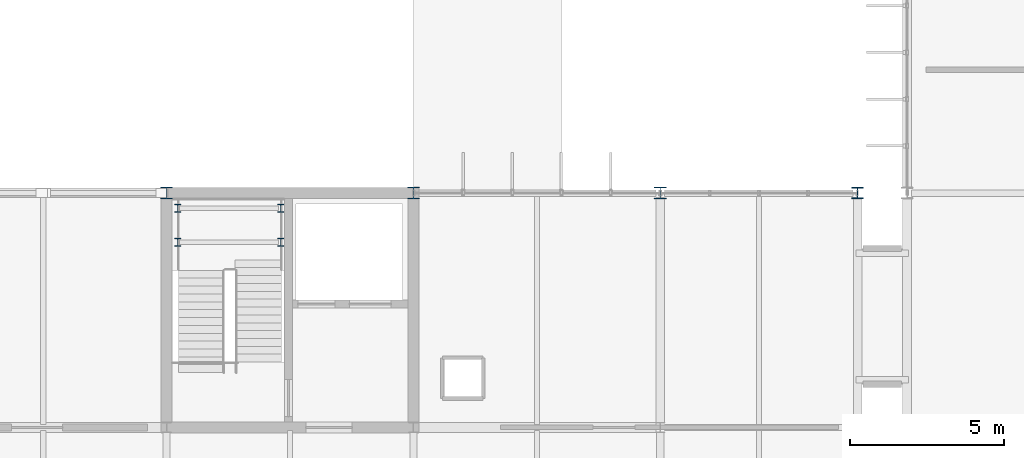
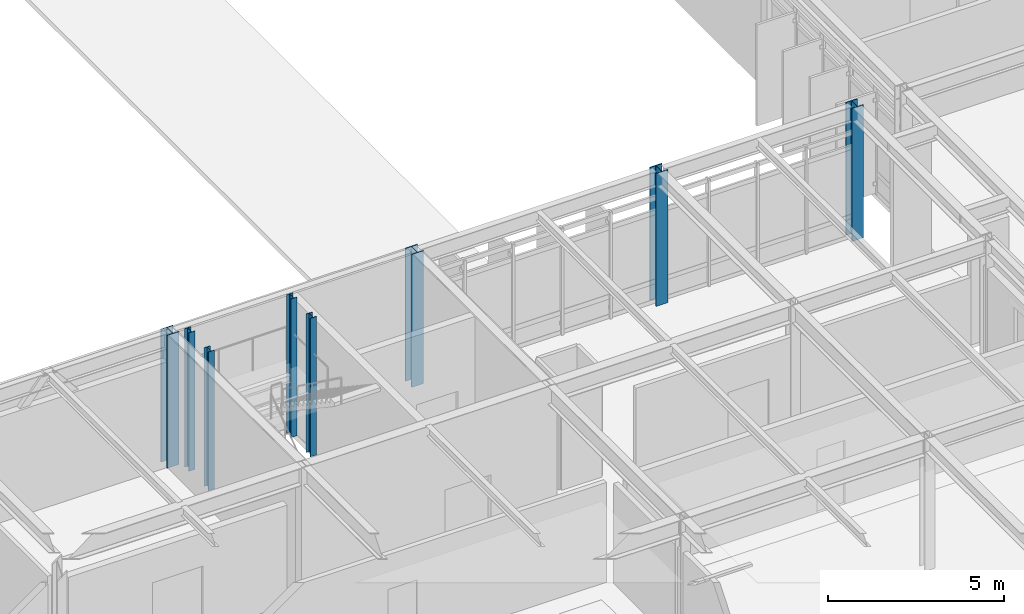
# One storey, part 4 of 100: 8 columns.
"""IFC4 building model written with IfcOpenShell, lengths in metres."""

import ifcopenshell
import ifcopenshell.guid

model = None  # the IFC model being written
_history = None  # IfcOwnerHistory: only IFC2X3 demands one
_inside = {}  # id of a spatial element -> (the spatial element, [elements in it])
_under = {}  # id of a project, library or spatial element -> (it, [spatial elements below it])
_declared = {}  # id of a project -> (the project, [libraries it declares])
_typed = {}  # id of a type object -> (the type object, [elements of that type])
_made_of = {}  # id of a material, layer set ... -> (it, [elements and type objects made of it])


def new_model(schema):
    """Start an empty IFC model of exactly this schema.

    Asked for "IFC4X3", IfcOpenShell would pick the latest addendum, in which some entities
    have other attributes; the version numbers below select the first issue.
    IFC2X3 requires an IfcOwnerHistory on every rooted entity: one is made here for all.
    """
    global model, _history
    if schema == "IFC4X3":
        model = ifcopenshell.file(schema_version=(4, 3, 0, 0))
    else:
        model = ifcopenshell.file(schema=schema)
    _inside.clear()
    _under.clear()
    _declared.clear()
    _typed.clear()
    _made_of.clear()
    _history = None
    if model.schema == "IFC2X3":
        org = make("IfcOrganization", Name="unknown")
        user = make(
            "IfcPersonAndOrganization",
            ThePerson=make("IfcPerson", FamilyName="unknown"),
            TheOrganization=org,
        )
        app = make(
            "IfcApplication",
            ApplicationDeveloper=org,
            Version="unknown",
            ApplicationFullName="unknown",
            ApplicationIdentifier="unknown",
        )
        _history = make(
            "IfcOwnerHistory",
            OwningUser=user,
            OwningApplication=app,
            ChangeAction="ADDED",
            CreationDate=0,
        )
    return model


def make(cls, **values):
    """One entity of the class cls with the attributes given. An attribute that is None is left unset."""
    return model.create_entity(
        cls, **{name: value for name, value in values.items() if value is not None}
    )


def rooted(cls, **values):
    """An entity with a GlobalId (a new one), such as an element, a storey or a relation."""
    return make(cls, GlobalId=ifcopenshell.guid.new(), OwnerHistory=_history, **values)


def si_unit(unit_type, name, prefix=None):
    """IfcSIUnit, for example si_unit("LENGTHUNIT", "METRE", prefix="MILLI")."""
    return make("IfcSIUnit", UnitType=unit_type, Prefix=prefix, Name=name)


def assignment(units):
    """IfcUnitAssignment: the units of a project."""
    return None if units is None else make("IfcUnitAssignment", Units=units)


def point(xyz):
    """IfcCartesianPoint."""
    return None if xyz is None else make("IfcCartesianPoint", Coordinates=xyz)


def direction(xyz):
    """IfcDirection."""
    return None if xyz is None else make("IfcDirection", DirectionRatios=xyz)


def frame(location, z_axis=None, x_axis=None):
    """IfcAxis2Placement3D, a coordinate frame: its origin and axes. An axis left out is left unset."""
    return make(
        "IfcAxis2Placement3D",
        Location=point(location),
        Axis=direction(z_axis),
        RefDirection=direction(x_axis),
    )


def frame_2d(location, x_axis=None):
    """IfcAxis2Placement2D, a coordinate frame in the plane: its origin and x axis."""
    return make(
        "IfcAxis2Placement2D", Location=point(location), RefDirection=direction(x_axis)
    )


def origin():
    """The frame at (0, 0, 0) with its axes left unset."""
    return frame((0.0, 0.0, 0.0))


def origin_2d():
    """The frame at (0, 0) in the plane with its x axis left unset."""
    return frame_2d((0.0, 0.0))


def place(relative_to, where):
    """IfcLocalPlacement: puts the frame where relative to a parent placement (None: the world)."""
    return make(
        "IfcLocalPlacement", PlacementRelTo=relative_to, RelativePlacement=where
    )


def context(
    kind, dimensions, precision=None, world=None, true_north=None, identifier=None
):
    """IfcGeometricRepresentationContext, for example the 3D "Model" context."""
    return make(
        "IfcGeometricRepresentationContext",
        ContextIdentifier=identifier,
        ContextType=kind,
        CoordinateSpaceDimension=dimensions,
        Precision=precision,
        WorldCoordinateSystem=world,
        TrueNorth=true_north,
    )


def subcontext(parent, identifier, kind, view, scale=None):
    """IfcGeometricRepresentationSubContext, for example "Body" below "Model"."""
    return make(
        "IfcGeometricRepresentationSubContext",
        ContextIdentifier=identifier,
        ContextType=kind,
        ParentContext=parent,
        TargetScale=scale,
        TargetView=view,
    )


def project(units=None, contexts=None):
    """IfcProject with its units and contexts."""
    return rooted(
        "IfcProject",
        Name="project",
        RepresentationContexts=contexts,
        UnitsInContext=assignment(units),
    )


def spatial(cls, under=None, at=None, **own):
    """A site, building, storey or space (cls), placed at a placement, below another one or the project."""
    s = rooted(cls, ObjectPlacement=at, **own)
    if under is not None:
        _under.setdefault(under.id(), (under, []))[1].append(s)
    return s


def profile(cls, at=None, kind="AREA", **sizes):
    """A parametric profile (cls). Its sizes go by their IFC names, for example OverallWidth=200.0."""
    return make(cls, ProfileType=kind, Position=at, **sizes)


def i_section(**sizes):
    """IfcIShapeProfileDef."""
    return profile("IfcIShapeProfileDef", **sizes)


def extrude(swept, where, along, depth):
    """IfcExtrudedAreaSolid: the profile swept, set in the frame where, extruded along a direction by depth."""
    return make(
        "IfcExtrudedAreaSolid",
        SweptArea=swept,
        Position=where,
        ExtrudedDirection=direction(along),
        Depth=depth,
    )


def shape(context_of_items, identifier, shape_type, items):
    """IfcShapeRepresentation: the items that make up one representation, for example the "Body"."""
    return make(
        "IfcShapeRepresentation",
        ContextOfItems=context_of_items,
        RepresentationIdentifier=identifier,
        RepresentationType=shape_type,
        Items=items,
    )


def material(Name=None, Category=None):
    """IfcMaterial."""
    return make("IfcMaterial", Name=Name, Category=Category)


def material_profile(
    of_material, cross_section, Name=None, Category=None, Priority=None
):
    """IfcMaterialProfile: a cross section and its material."""
    return make(
        "IfcMaterialProfile",
        Name=Name,
        Material=of_material,
        Profile=cross_section,
        Priority=Priority,
        Category=Category,
    )


def profile_set(profiles, Name=None, composite=None):
    """IfcMaterialProfileSet."""
    return make(
        "IfcMaterialProfileSet",
        Name=Name,
        MaterialProfiles=profiles,
        CompositeProfile=composite,
    )


def made_of(thing, what):
    """Note that an element or type object is made of a material, layer set ...; save() writes the relation."""
    if what is not None:
        _made_of.setdefault(what.id(), (what, []))[1].append(thing)
    return thing


def type_object(cls, material=None, **own):
    """A type object (cls), such as IfcWallType, which elements share."""
    return made_of(rooted(cls, **own), material)


def element(
    cls,
    number,
    at=None,
    inside=None,
    cuts=None,
    type_object=None,
    material=None,
    context=None,
    identifier="Body",
    shape_type=None,
    held_by="IfcProductDefinitionShape",
    body=None,
    shapes=None,
    **own,
):
    """One element of the class cls, such as IfcWall. Its Tag is "e" and its number.

    at: its placement. inside: the storey or other place that contains it. cuts: it is an
    opening in that element (IfcRelVoidsElement). A single representation is given by context,
    identifier, shape_type and body (its items); several are given by shapes. held_by: the class
    of the entity that holds the representations. save() writes the other relations.
    """
    e = rooted(cls, Tag="e%d" % number, ObjectPlacement=at, **own)
    if body is not None:
        shapes = [shape(context, identifier, shape_type, body)]
    if shapes is not None:
        e.Representation = make(held_by, Representations=shapes)
    if inside is not None:
        _inside.setdefault(inside.id(), (inside, []))[1].append(e)
    if cuts is not None:
        rooted(
            "IfcRelVoidsElement", RelatingBuildingElement=cuts, RelatedOpeningElement=e
        )
    if type_object is not None:
        _typed.setdefault(type_object.id(), (type_object, []))[1].append(e)
    return made_of(e, material)


def aggregate(whole, parts):
    """IfcRelAggregates: a whole, such as a stair, and the parts it consists of."""
    return rooted("IfcRelAggregates", RelatingObject=whole, RelatedObjects=parts)


def save(model, path):
    """Write the relations noted so far, then the file.

    IfcRelAggregates (storeys below a building ...), IfcRelContainedInSpatialStructure (elements
    in a storey), IfcRelDefinesByType, IfcRelAssociatesMaterial and IfcRelDeclares: one each for
    every whole, place, type object, material and project.
    """
    for whole, parts in _under.values():
        aggregate(whole, parts)
    for where, things in _inside.values():
        rooted(
            "IfcRelContainedInSpatialStructure",
            RelatedElements=things,
            RelatingStructure=where,
        )
    for kind, things in _typed.values():
        rooted("IfcRelDefinesByType", RelatedObjects=things, RelatingType=kind)
    for what, things in _made_of.values():
        rooted("IfcRelAssociatesMaterial", RelatedObjects=things, RelatingMaterial=what)
    for by, libraries in _declared.values():
        rooted("IfcRelDeclares", RelatingContext=by, RelatedDefinitions=libraries)
    model.write(path)


model = new_model("IFC4")

# Units and contexts
model_context = context("Model", 3, precision=1e-05, world=origin(), true_north=direction((0.0, 1.0)))
body_context = subcontext(model_context, "Body", "Model", "MODEL_VIEW")
ifc_project = project(units=[si_unit("LENGTHUNIT", "METRE"), si_unit("AREAUNIT", "SQUARE_METRE"), si_unit("VOLUMEUNIT", "CUBIC_METRE"), si_unit("PLANEANGLEUNIT", "RADIAN"), si_unit("MASSUNIT", "GRAM", prefix="KILO")], contexts=[model_context])

# Site, building, storey
site_placement = place(None, origin())
site = spatial("IfcSite", under=ifc_project, at=site_placement, CompositionType="ELEMENT")
building_placement = place(site_placement, origin())
building = spatial("IfcBuilding", under=site, at=building_placement, Name="Zulena Civic Courthouse", CompositionType="ELEMENT")
storey_placement = place(building_placement, frame((0.0, 0.0, 20.39990234375)))
storey = spatial("IfcBuildingStorey", under=building, at=storey_placement, Name="L04", CompositionType="ELEMENT", Elevation=20.39990234375)

# Columns
ifc_material = material(Name="Steel ASTM A992 Grade 50", Category="steel")
ifc_material_profile_1 = material_profile(ifc_material, i_section(OverallWidth=0.2041015625, OverallDepth=0.257080078125, WebThickness=0.0087890625, FlangeThickness=0.015625, FilletRadius=0.0126953125, at=origin_2d()), Name="W10X45")
ifc_profile_set_1 = profile_set([ifc_material_profile_1], Name="Steel ASTM A992 Grade 50")
column_type_1 = type_object("IfcColumnType", Name="Col_W10X45", PredefinedType="COLUMN", material=ifc_profile_set_1)
for number, where, z_axis, x_axis, name in (
    (1, (44.360107421875, 21.199951171875, 0.0), (0.0, 0.0, 1.0), (1.0, 0.0, 0.0), "col:lnd:K2B:L04:0:0"),
    (2, (47.699951171875, 21.199951171875, 0.0), (0.0, 0.0, 1.0), (1.0, 0.0, 0.0), "col:lnd:K2B:L04:0:1"),
    (3, (44.360107421875, 22.300048828125, 0.0), (0.0, 0.0, 1.0), (1.0, 0.0, 0.0), "col:lnd:K2B:L04:1:0"),
    (4, (47.699951171875, 22.300048828125, 0.0), (0.0, 0.0, 1.0), (1.0, 0.0, 0.0), "col:lnd:K2B:L04:1:1"),
):
    element("IfcColumn", number, at=place(storey_placement, frame(where, z_axis=z_axis, x_axis=x_axis)), inside=storey, type_object=column_type_1, Name=name, PredefinedType="COLUMN", context=body_context, shape_type="SweptSolid", body=[
        extrude(i_section(OverallWidth=0.2041015625, OverallDepth=0.257080078125, WebThickness=0.0087890625, FlangeThickness=0.015625, FilletRadius=0.0126953125, at=origin_2d()), origin(), (0.0, 0.0, 1.0), 4.795166015625),
    ])
ifc_material_profile_2 = material_profile(ifc_material, i_section(OverallWidth=0.373046875, OverallDepth=0.367919921875, WebThickness=0.014892578125, FlangeThickness=0.02392578125, FilletRadius=0.01513671875, at=origin_2d()), Name="W14X120")
ifc_profile_set_2 = profile_set([ifc_material_profile_2], Name="Steel ASTM A992 Grade 50")
column_type_2 = type_object("IfcColumnType", Name="Col_W14X120", PredefinedType="COLUMN", material=ifc_profile_set_2)
column_placement = place(storey_placement, frame((66.39990234375, 22.800048828125, 0.0), z_axis=(0.0, 0.0, 1.0), x_axis=(1.0, 0.0, 0.0)))
element("IfcColumn", 5, at=column_placement, inside=storey, type_object=column_type_2, Name="col:V2:L04:66.4:22.8", PredefinedType="COLUMN", context=body_context, shape_type="SweptSolid", body=[
    extrude(i_section(OverallWidth=0.373046875, OverallDepth=0.367919921875, WebThickness=0.014892578125, FlangeThickness=0.02392578125, FilletRadius=0.01513671875, at=origin_2d()), origin(), (0.0, 0.0, 1.0), 4.59521484375),
])
ifc_material_profile_3 = material_profile(ifc_material, i_section(OverallWidth=0.39404296875, OverallDepth=0.3759765625, WebThickness=0.017333984375, FlangeThickness=0.027587890625, FilletRadius=0.01513671875, at=origin_2d()), Name="W14X145")
ifc_profile_set_3 = profile_set([ifc_material_profile_3], Name="Steel ASTM A992 Grade 50")
column_type_3 = type_object("IfcColumnType", Name="Col_W14X145", PredefinedType="COLUMN", material=ifc_profile_set_3)
for number, where, z_axis, x_axis, name in (
    (6, (44.0, 22.800048828125, 0.0), (0.0, 0.0, 1.0), (1.0, 0.0, 0.0), "col:V2:L04:44.0:22.8"),
    (7, (52.0, 22.800048828125, 0.0), (0.0, 0.0, 1.0), (1.0, 0.0, 0.0), "col:V2:L04:52.0:22.8"),
    (8, (60.0, 22.800048828125, 0.0), (0.0, 0.0, 1.0), (1.0, 0.0, 0.0), "col:V2:L04:60.0:22.8"),
):
    element("IfcColumn", number, at=place(storey_placement, frame(where, z_axis=z_axis, x_axis=x_axis)), inside=storey, type_object=column_type_3, Name=name, PredefinedType="COLUMN", context=body_context, shape_type="SweptSolid", body=[
        extrude(i_section(OverallWidth=0.39404296875, OverallDepth=0.3759765625, WebThickness=0.017333984375, FlangeThickness=0.027587890625, FilletRadius=0.01513671875, at=origin_2d()), origin(), (0.0, 0.0, 1.0), 4.59521484375),
    ])

save(model, "model.ifc")
